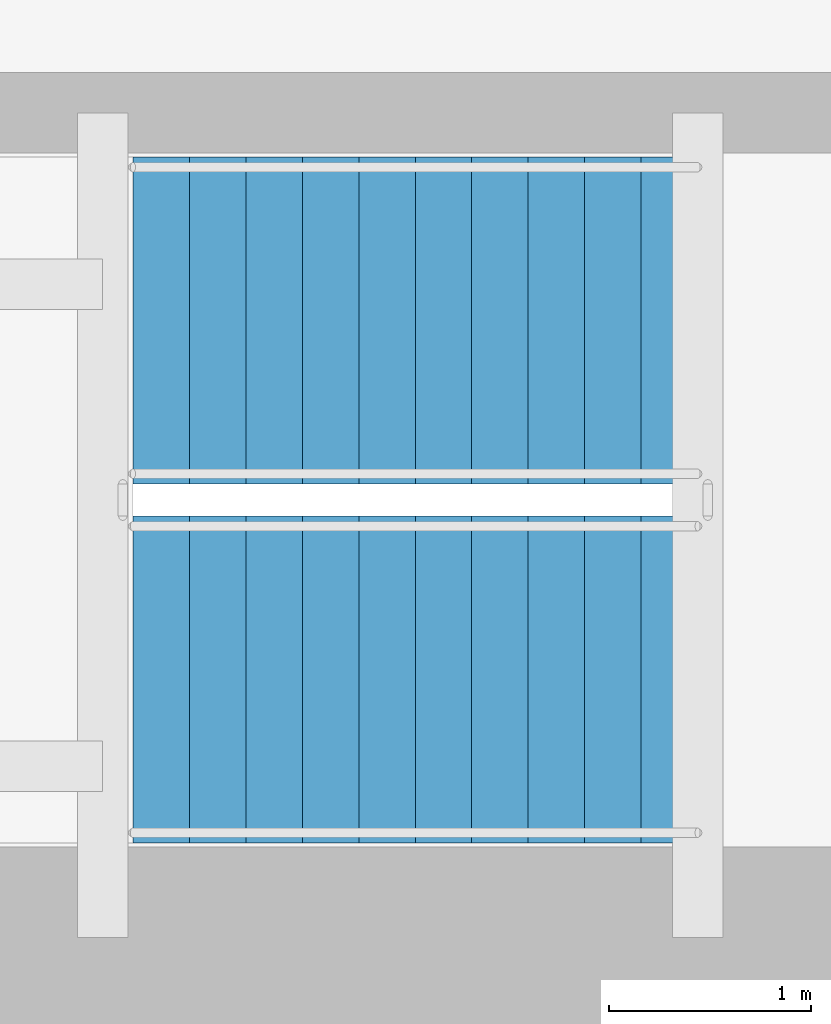
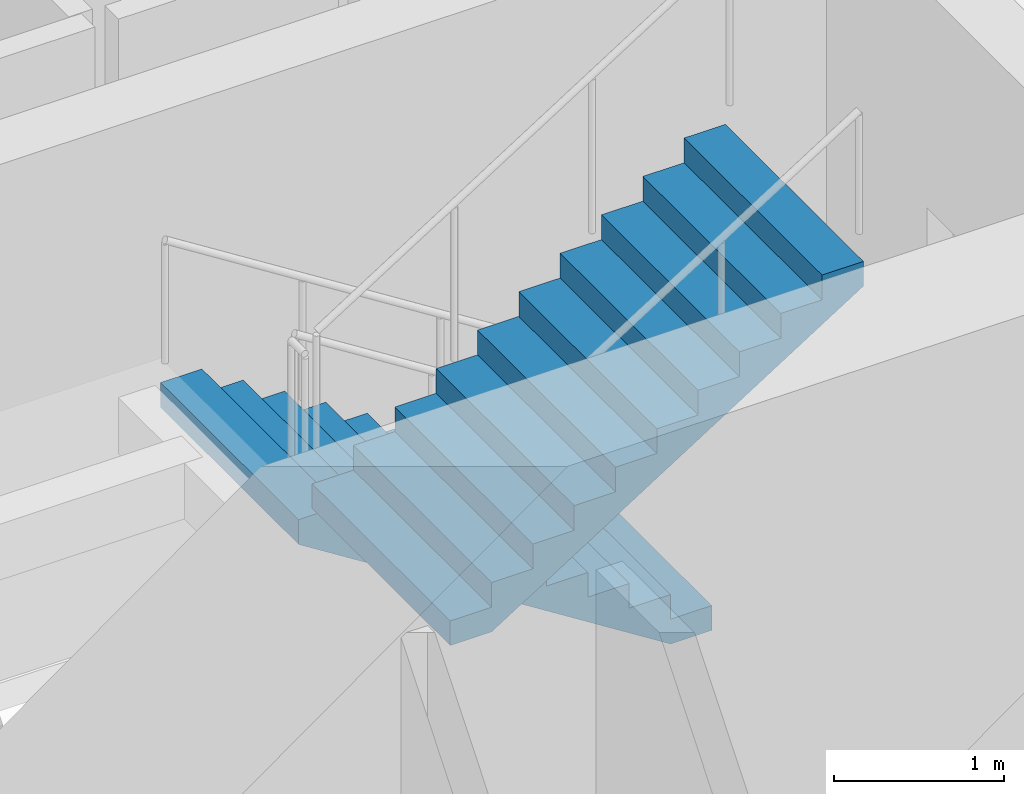
# One storey, part 10 of 15: 2 stair flights, 1 element without a shape of its own.
"""IFC4 building model written with IfcOpenShell, lengths in metres."""

import ifcopenshell
import ifcopenshell.guid

model = None  # the IFC model being written
_history = None  # IfcOwnerHistory: only IFC2X3 demands one
_inside = {}  # id of a spatial element -> (the spatial element, [elements in it])
_under = {}  # id of a project, library or spatial element -> (it, [spatial elements below it])
_declared = {}  # id of a project -> (the project, [libraries it declares])
_typed = {}  # id of a type object -> (the type object, [elements of that type])
_made_of = {}  # id of a material, layer set ... -> (it, [elements and type objects made of it])


def new_model(schema):
    """Start an empty IFC model of exactly this schema.

    Asked for "IFC4X3", IfcOpenShell would pick the latest addendum, in which some entities
    have other attributes; the version numbers below select the first issue.
    IFC2X3 requires an IfcOwnerHistory on every rooted entity: one is made here for all.
    """
    global model, _history
    if schema == "IFC4X3":
        model = ifcopenshell.file(schema_version=(4, 3, 0, 0))
    else:
        model = ifcopenshell.file(schema=schema)
    _inside.clear()
    _under.clear()
    _declared.clear()
    _typed.clear()
    _made_of.clear()
    _history = None
    if model.schema == "IFC2X3":
        org = make("IfcOrganization", Name="unknown")
        user = make(
            "IfcPersonAndOrganization",
            ThePerson=make("IfcPerson", FamilyName="unknown"),
            TheOrganization=org,
        )
        app = make(
            "IfcApplication",
            ApplicationDeveloper=org,
            Version="unknown",
            ApplicationFullName="unknown",
            ApplicationIdentifier="unknown",
        )
        _history = make(
            "IfcOwnerHistory",
            OwningUser=user,
            OwningApplication=app,
            ChangeAction="ADDED",
            CreationDate=0,
        )
    return model


def make(cls, **values):
    """One entity of the class cls with the attributes given. An attribute that is None is left unset."""
    return model.create_entity(
        cls, **{name: value for name, value in values.items() if value is not None}
    )


def rooted(cls, **values):
    """An entity with a GlobalId (a new one), such as an element, a storey or a relation."""
    return make(cls, GlobalId=ifcopenshell.guid.new(), OwnerHistory=_history, **values)


def si_unit(unit_type, name, prefix=None):
    """IfcSIUnit, for example si_unit("LENGTHUNIT", "METRE", prefix="MILLI")."""
    return make("IfcSIUnit", UnitType=unit_type, Prefix=prefix, Name=name)


def assignment(units):
    """IfcUnitAssignment: the units of a project."""
    return None if units is None else make("IfcUnitAssignment", Units=units)


def point(xyz):
    """IfcCartesianPoint."""
    return None if xyz is None else make("IfcCartesianPoint", Coordinates=xyz)


def direction(xyz):
    """IfcDirection."""
    return None if xyz is None else make("IfcDirection", DirectionRatios=xyz)


def frame(location, z_axis=None, x_axis=None):
    """IfcAxis2Placement3D, a coordinate frame: its origin and axes. An axis left out is left unset."""
    return make(
        "IfcAxis2Placement3D",
        Location=point(location),
        Axis=direction(z_axis),
        RefDirection=direction(x_axis),
    )


def origin():
    """The frame at (0, 0, 0) with its axes left unset."""
    return frame((0.0, 0.0, 0.0))


def place(relative_to, where):
    """IfcLocalPlacement: puts the frame where relative to a parent placement (None: the world)."""
    return make(
        "IfcLocalPlacement", PlacementRelTo=relative_to, RelativePlacement=where
    )


def context(
    kind, dimensions, precision=None, world=None, true_north=None, identifier=None
):
    """IfcGeometricRepresentationContext, for example the 3D "Model" context."""
    return make(
        "IfcGeometricRepresentationContext",
        ContextIdentifier=identifier,
        ContextType=kind,
        CoordinateSpaceDimension=dimensions,
        Precision=precision,
        WorldCoordinateSystem=world,
        TrueNorth=true_north,
    )


def subcontext(parent, identifier, kind, view, scale=None):
    """IfcGeometricRepresentationSubContext, for example "Body" below "Model"."""
    return make(
        "IfcGeometricRepresentationSubContext",
        ContextIdentifier=identifier,
        ContextType=kind,
        ParentContext=parent,
        TargetScale=scale,
        TargetView=view,
    )


def project(units=None, contexts=None):
    """IfcProject with its units and contexts."""
    return rooted(
        "IfcProject",
        Name="project",
        RepresentationContexts=contexts,
        UnitsInContext=assignment(units),
    )


def spatial(cls, under=None, at=None, **own):
    """A site, building, storey or space (cls), placed at a placement, below another one or the project."""
    s = rooted(cls, ObjectPlacement=at, **own)
    if under is not None:
        _under.setdefault(under.id(), (under, []))[1].append(s)
    return s


def polyline(points):
    """IfcPolyline through the points."""
    return make("IfcPolyline", Points=[point(p) for p in points])


def outline(outer, holes=None, kind="AREA"):
    """IfcArbitraryClosedProfileDef: a profile drawn as a closed curve; with holes, ...WithVoids."""
    if holes is None:
        return make("IfcArbitraryClosedProfileDef", ProfileType=kind, OuterCurve=outer)
    return make(
        "IfcArbitraryProfileDefWithVoids",
        ProfileType=kind,
        OuterCurve=outer,
        InnerCurves=holes,
    )


def extrude(swept, where, along, depth):
    """IfcExtrudedAreaSolid: the profile swept, set in the frame where, extruded along a direction by depth."""
    return make(
        "IfcExtrudedAreaSolid",
        SweptArea=swept,
        Position=where,
        ExtrudedDirection=direction(along),
        Depth=depth,
    )


def shape(context_of_items, identifier, shape_type, items):
    """IfcShapeRepresentation: the items that make up one representation, for example the "Body"."""
    return make(
        "IfcShapeRepresentation",
        ContextOfItems=context_of_items,
        RepresentationIdentifier=identifier,
        RepresentationType=shape_type,
        Items=items,
    )


def material(Name=None, Category=None):
    """IfcMaterial."""
    return make("IfcMaterial", Name=Name, Category=Category)


def layer(
    of_material, thickness, ventilated=None, Name=None, Category=None, Priority=None
):
    """IfcMaterialLayer: one layer of a wall or slab, of a material (None: an air gap)."""
    return make(
        "IfcMaterialLayer",
        Material=of_material,
        LayerThickness=thickness,
        IsVentilated=ventilated,
        Name=Name,
        Category=Category,
        Priority=Priority,
    )


def layer_set(layers, Name=None):
    """IfcMaterialLayerSet."""
    return make("IfcMaterialLayerSet", MaterialLayers=layers, LayerSetName=Name)


def made_of(thing, what):
    """Note that an element or type object is made of a material, layer set ...; save() writes the relation."""
    if what is not None:
        _made_of.setdefault(what.id(), (what, []))[1].append(thing)
    return thing


def type_object(cls, material=None, **own):
    """A type object (cls), such as IfcWallType, which elements share."""
    return made_of(rooted(cls, **own), material)


def element(
    cls,
    number,
    at=None,
    inside=None,
    cuts=None,
    type_object=None,
    material=None,
    context=None,
    identifier="Body",
    shape_type=None,
    held_by="IfcProductDefinitionShape",
    body=None,
    shapes=None,
    **own,
):
    """One element of the class cls, such as IfcWall. Its Tag is "e" and its number.

    at: its placement. inside: the storey or other place that contains it. cuts: it is an
    opening in that element (IfcRelVoidsElement). A single representation is given by context,
    identifier, shape_type and body (its items); several are given by shapes. held_by: the class
    of the entity that holds the representations. save() writes the other relations.
    """
    e = rooted(cls, Tag="e%d" % number, ObjectPlacement=at, **own)
    if body is not None:
        shapes = [shape(context, identifier, shape_type, body)]
    if shapes is not None:
        e.Representation = make(held_by, Representations=shapes)
    if inside is not None:
        _inside.setdefault(inside.id(), (inside, []))[1].append(e)
    if cuts is not None:
        rooted(
            "IfcRelVoidsElement", RelatingBuildingElement=cuts, RelatedOpeningElement=e
        )
    if type_object is not None:
        _typed.setdefault(type_object.id(), (type_object, []))[1].append(e)
    return made_of(e, material)


def aggregate(whole, parts):
    """IfcRelAggregates: a whole, such as a stair, and the parts it consists of."""
    return rooted("IfcRelAggregates", RelatingObject=whole, RelatedObjects=parts)


def save(model, path):
    """Write the relations noted so far, then the file.

    IfcRelAggregates (storeys below a building ...), IfcRelContainedInSpatialStructure (elements
    in a storey), IfcRelDefinesByType, IfcRelAssociatesMaterial and IfcRelDeclares: one each for
    every whole, place, type object, material and project.
    """
    for whole, parts in _under.values():
        aggregate(whole, parts)
    for where, things in _inside.values():
        rooted(
            "IfcRelContainedInSpatialStructure",
            RelatedElements=things,
            RelatingStructure=where,
        )
    for kind, things in _typed.values():
        rooted("IfcRelDefinesByType", RelatedObjects=things, RelatingType=kind)
    for what, things in _made_of.values():
        rooted("IfcRelAssociatesMaterial", RelatedObjects=things, RelatingMaterial=what)
    for by, libraries in _declared.values():
        rooted("IfcRelDeclares", RelatingContext=by, RelatedDefinitions=libraries)
    model.write(path)


model = new_model("IFC4")

# Units and contexts
model_context = context("Model", 3, precision=1e-05, world=origin(), true_north=direction((0.0, 1.0)))
body_context = subcontext(model_context, "Body", "Model", "MODEL_VIEW")
ifc_project = project(units=[si_unit("LENGTHUNIT", "METRE"), si_unit("AREAUNIT", "SQUARE_METRE"), si_unit("VOLUMEUNIT", "CUBIC_METRE"), si_unit("PLANEANGLEUNIT", "RADIAN"), si_unit("MASSUNIT", "GRAM", prefix="KILO")], contexts=[model_context])

# Site, building, storey
site_placement = place(None, origin())
site = spatial("IfcSite", under=ifc_project, at=site_placement, CompositionType="ELEMENT")
building_placement = place(site_placement, origin())
building = spatial("IfcBuilding", under=site, at=building_placement, Name="Qingluan Cross Belvedere", CompositionType="ELEMENT")
storey_placement = place(building_placement, frame((0.0, 0.0, 31.5)))
storey = spatial("IfcBuildingStorey", under=building, at=storey_placement, Name="L08", CompositionType="ELEMENT", Elevation=31.5)

# Stair, stair flights
ifc_material_1 = material(Name="Concrete C40", Category="concrete")
stair_type = type_object("IfcStairType", Name="CoreDoglegStair_1620", PredefinedType="HALF_TURN_STAIR", material=ifc_material_1)
stair_placement = place(storey_placement, origin())
stair = element("IfcStair", 1, at=stair_placement, inside=storey, type_object=stair_type, Name="L08 ST3", PredefinedType="HALF_TURN_STAIR")
ifc_material_2 = material(Name="Concrete C40", Category="concrete")
ifc_layer = layer(ifc_material_2, 0.179931640625, Name="StairFlight_RC180")
ifc_layer_set = layer_set([ifc_layer], Name="Concrete C40")
stair_flight_type = type_object("IfcStairFlightType", Name="StairFlight_RC180", PredefinedType="STRAIGHT", material=ifc_layer_set)
stair_flight_1_placement = place(storey_placement, frame((-6.179931640625, 8.010009765625, 0.0), z_axis=(0.0, 0.0, 1.0), x_axis=(-1.0, 0.0, 0.0)))
stair_flight_1 = element("IfcStairFlight", 2, at=stair_flight_1_placement, type_object=stair_flight_type, Name="ST3 flight 1", NumberOfRisers=11, NumberOfTreads=10, PredefinedType="STRAIGHT", RiserHeight=0.177272727, TreadLength=0.28, context=body_context, shape_type="SweptSolid", body=[
    extrude(outline(polyline([(0.0, 0.0), (0.0, 0.17724609375), (0.280029296875, 0.17724609375), (0.280029296875, 0.3544921875), (0.56005859375, 0.3544921875), (0.56005859375, 0.53173828125), (0.840087890625, 0.53173828125), (0.840087890625, 0.708984375), (1.1201171875, 0.708984375), (1.1201171875, 0.886474609375), (1.39990234375, 0.886474609375), (1.39990234375, 1.063720703125), (1.679931640625, 1.063720703125), (1.679931640625, 1.240966796875), (1.9599609375, 1.240966796875), (1.9599609375, 1.418212890625), (2.239990234375, 1.418212890625), (2.239990234375, 1.595458984375), (2.52001953125, 1.595458984375), (2.52001953125, 1.772705078125), (2.800048828125, 1.772705078125), (2.800048828125, 1.949951171875), (2.800048828125, 1.59521484375), (0.2802734375, 0.0), (0.0, 0.0)])), frame((0.0, 0.81005859375, 0.0), z_axis=(0.0, -1.0, 0.0), x_axis=(1.0, 0.0, 0.0)), (0.0, 0.0, 1.0), 1.6201171875),
])
stair_flight_2_placement = place(storey_placement, frame((-8.97998046875, 6.22998046875, 1.949951171875), z_axis=(0.0, 0.0, 1.0), x_axis=(1.0, 0.0, 0.0)))
stair_flight_2 = element("IfcStairFlight", 3, at=stair_flight_2_placement, type_object=stair_flight_type, Name="ST3 flight 2", NumberOfRisers=11, NumberOfTreads=10, PredefinedType="STRAIGHT", RiserHeight=0.177272727, TreadLength=0.28, context=body_context, shape_type="SweptSolid", body=[
    extrude(outline(polyline([(0.0, 0.0), (0.0, 0.17724609375), (0.280029296875, 0.17724609375), (0.280029296875, 0.3544921875), (0.56005859375, 0.3544921875), (0.56005859375, 0.53173828125), (0.840087890625, 0.53173828125), (0.840087890625, 0.708984375), (1.1201171875, 0.708984375), (1.1201171875, 0.886474609375), (1.39990234375, 0.886474609375), (1.39990234375, 1.063720703125), (1.679931640625, 1.063720703125), (1.679931640625, 1.240966796875), (1.9599609375, 1.240966796875), (1.9599609375, 1.418212890625), (2.239990234375, 1.418212890625), (2.239990234375, 1.595458984375), (2.52001953125, 1.595458984375), (2.52001953125, 1.772705078125), (2.800048828125, 1.772705078125), (2.800048828125, 1.949951171875), (2.800048828125, 1.59521484375), (0.2802734375, 0.0), (0.0, 0.0)])), frame((0.0, 0.81005859375, 0.0), z_axis=(0.0, -1.0, 0.0), x_axis=(1.0, 0.0, 0.0)), (0.0, 0.0, 1.0), 1.6201171875),
])
aggregate(stair, [stair_flight_1, stair_flight_2])

save(model, "model.ifc")
